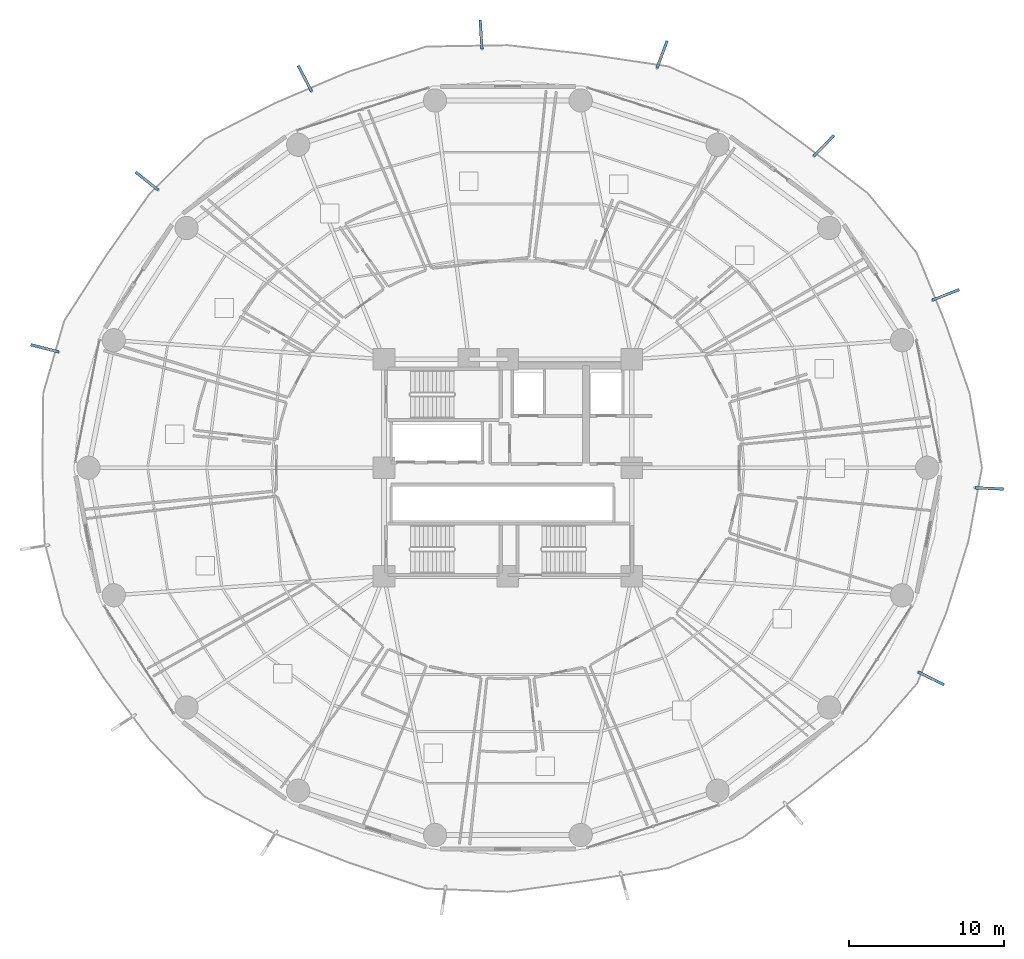
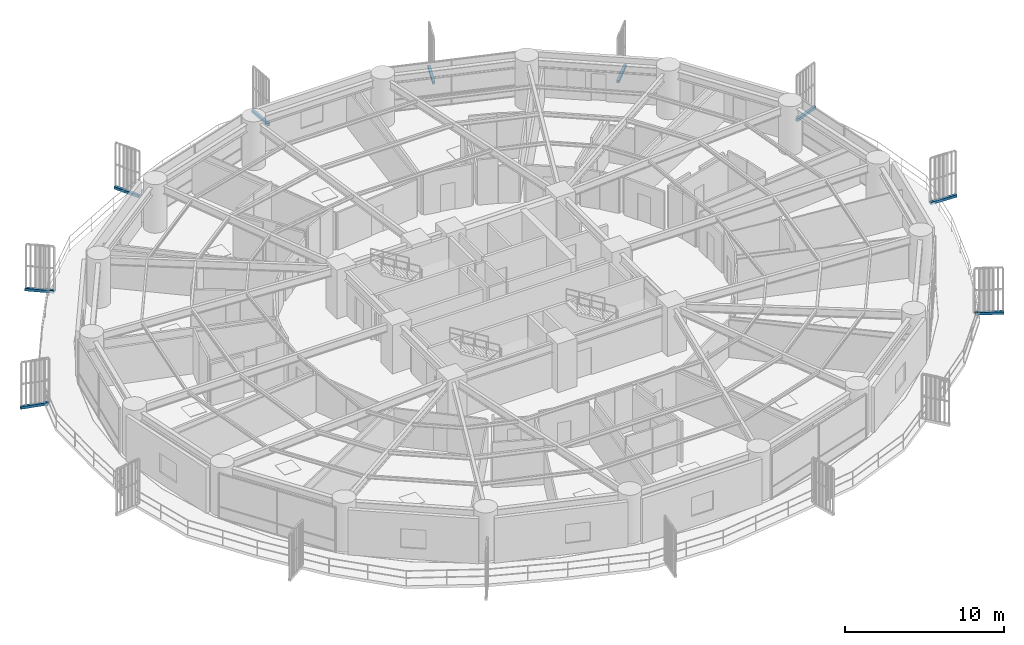
# One storey, part 28 of 33: 9 discrete accessories.
"""IFC4 building model written with IfcOpenShell, lengths in metres."""

from ifc_helpers import new_model, si_unit, direction, frame, origin, origin_2d, place, context, subcontext, project, spatial, rectangle, extrude, source, transform, mapped, material, type_object, element, save


model = new_model("IFC4")

# Units and contexts
model_context = context("Model", 3, precision=1e-05, world=origin(), true_north=direction((0.0, 1.0)))
body_context = subcontext(model_context, "Body", "Model", "MODEL_VIEW")
ifc_project = project(units=[si_unit("LENGTHUNIT", "METRE"), si_unit("AREAUNIT", "SQUARE_METRE"), si_unit("VOLUMEUNIT", "CUBIC_METRE"), si_unit("PLANEANGLEUNIT", "RADIAN"), si_unit("MASSUNIT", "GRAM", prefix="KILO")], contexts=[model_context])

# Site, building, storey
site_placement = place(None, origin())
site = spatial("IfcSite", under=ifc_project, at=site_placement, CompositionType="ELEMENT")
building_placement = place(site_placement, origin())
building = spatial("IfcBuilding", under=site, at=building_placement, Name="Kelanora Arch Commons", CompositionType="ELEMENT")
storey_placement = place(building_placement, frame((0.0, 0.0, 45.0)))
storey = spatial("IfcBuildingStorey", under=building, at=storey_placement, Name="L11", CompositionType="ELEMENT", Elevation=45.0)

# Discrete accessories
ifc_material = material(Name="Stainless steel 316 marine fin bracket", Category="steel")
discrete_accessory_type = type_object("IfcDiscreteAccessoryType", Name="ACC-FIN-BRK", PredefinedType="BRACKET", material=ifc_material)
shared_shape = source(origin(), body_context, "Body", "SweptSolid", [
    extrude(rectangle(XDim=1.864990234375, YDim=0.179931640625, at=origin_2d()), origin(), (0.0, 0.0, 1.0), 0.199951171875),
])
for number, where, z_axis, x_axis, name in (
    (1, (102.2734375, 69.1611328125, -0.16015625), (0.0, 0.0, 1.0), (0.930161475141, 0.367150691357, 0.0), "Sweeping Fin Cantilever Spine Bracket L11-00"),
    (2, (94.400146484375, 78.789794921875, -0.16015625), (0.0, 0.0, 1.0), (0.700411150784, 0.713739602276, 0.0), "Sweeping Fin Cantilever Spine Bracket L11-01"),
    (3, (83.9541015625, 84.683349609375, -0.16015625), (0.0, 0.0, 1.0), (0.349553375421, 0.936916451842, 0.0), "Sweeping Fin Cantilever Spine Bracket L11-02"),
    (4, (72.268798828125, 85.969482421875, -0.16015625), (0.0, 0.0, 1.0), (-0.061745354146, 0.998091935265, 0.0), "Sweeping Fin Cantilever Spine Bracket L11-03"),
    (5, (60.890869140625, 83.13720703125, -0.16015625), (0.0, 0.0, 1.0), (-0.462367751041, 0.886688255701, 0.0), "Sweeping Fin Cantilever Spine Bracket L11-04"),
    (6, (50.693603515625, 76.510986328125, -0.16015625), (0.0, 0.0, 1.0), (-0.783042563302, 0.621968121415, 0.0), "Sweeping Fin Cantilever Spine Bracket L11-05"),
    (7, (44.096923828125, 65.7099609375, -0.16015625), (0.0, 0.0, 1.0), (-0.96832220265, 0.249704048534, 0.0), "Sweeping Fin Cantilever Spine Bracket L11-06"),
    (8, (101.326904296875, 44.400390625, -0.16015625), (0.0, 0.0, 1.0), (0.895245648325, -0.445572922377, 0.0), "Sweeping Fin Cantilever Spine Bracket L11-13"),
    (9, (105.080810546875, 56.665771484375, -0.16015625), (0.0, 0.0, 1.0), (0.999078430194, -0.042921909558, 0.0), "Sweeping Fin Cantilever Spine Bracket L11-14"),
):
    element("IfcDiscreteAccessory", number, at=place(storey_placement, frame(where, z_axis=z_axis, x_axis=x_axis)), inside=storey, type_object=discrete_accessory_type, Name=name, PredefinedType="BRACKET", context=body_context, shape_type="MappedRepresentation", body=[
        mapped(shared_shape, transform((0.0, 0.0, 0.0), scale=1.0)),
    ])

save(model, "model.ifc")
